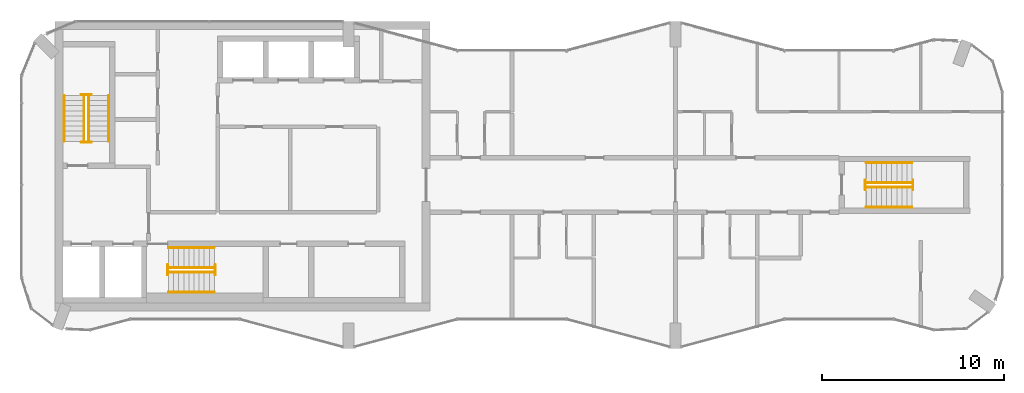
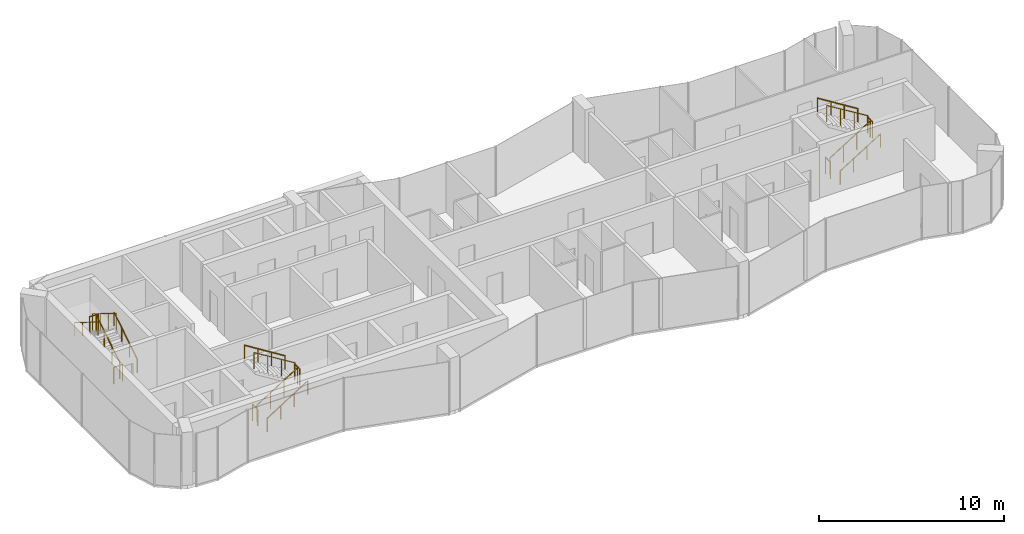
# One storey, part 10 of 10: 18 railings.
"""IFC4 building model written with IfcOpenShell, lengths in metres."""

from ifc_helpers import new_model, si_unit, direction, frame, origin, origin_2d, place, context, subcontext, project, spatial, circle, extrude, material, type_object, element, save


model = new_model("IFC4")

# Units and contexts
model_context = context("Model", 3, precision=1e-05, world=origin(), true_north=direction((0.0, 1.0)))
body_context = subcontext(model_context, "Body", "Model", "MODEL_VIEW")
ifc_project = project(units=[si_unit("LENGTHUNIT", "METRE"), si_unit("AREAUNIT", "SQUARE_METRE"), si_unit("VOLUMEUNIT", "CUBIC_METRE"), si_unit("PLANEANGLEUNIT", "RADIAN"), si_unit("MASSUNIT", "GRAM", prefix="KILO")], contexts=[model_context])

# Site, building, storey
site_placement = place(None, origin())
site = spatial("IfcSite", under=ifc_project, at=site_placement, CompositionType="ELEMENT")
building_placement = place(site_placement, origin())
building = spatial("IfcBuilding", under=site, at=building_placement, Name="Plateau Cross Towers", CompositionType="ELEMENT")
storey_placement = place(building_placement, frame((0.0, 0.0, 263.39990234375)))
storey = spatial("IfcBuildingStorey", under=building, at=storey_placement, Name="L69", CompositionType="ELEMENT", Elevation=263.39990234375)

# Railings
ifc_material_1 = material(Name="Stainless steel and toughened glass", Category="steel")
railing_type_1 = type_object("IfcRailingType", Name="RL-GUARD-1100", PredefinedType="GUARDRAIL", material=ifc_material_1)
railing_1_placement = place(storey_placement, frame((3.699951171875, 11.39990234375, 0.175048828125)))
element("IfcRailing", 1, at=railing_1_placement, inside=storey, type_object=railing_type_1, Name="L69 ST-1 stair guard 1", PredefinedType="GUARDRAIL", context=body_context, shape_type="SweptSolid", body=[
    extrude(circle(Radius=0.02392578125, at=origin_2d()), frame((0.0, 0.0, 1.076171875), z_axis=(0.0, 0.848007534815, 0.529984170421), x_axis=(-1.0, 0.0, 0.0)), (0.0, 0.0, 1.0), 2.9716796875),
    extrude(circle(Radius=0.02099609375, at=origin_2d()), origin(), (0.0, 0.0, 1.0), 1.052001953125),
    extrude(circle(Radius=0.02099609375, at=origin_2d()), frame((0.0, 0.840087890625, 0.52490234375)), (0.0, 0.0, 1.0), 1.052001953125),
    extrude(circle(Radius=0.02099609375, at=origin_2d()), frame((0.0, 1.679931640625, 1.050048828125)), (0.0, 0.0, 1.0), 1.052001953125),
    extrude(circle(Radius=0.02099609375, at=origin_2d()), frame((0.0, 2.52001953125, 1.574951171875)), (0.0, 0.0, 1.0), 1.052001953125),
])
railing_2_placement = place(storey_placement, frame((3.85009765625, 13.969970703125, 1.75)))
element("IfcRailing", 2, at=railing_2_placement, inside=storey, type_object=railing_type_1, Name="L69 ST-1 stair guard 2", PredefinedType="GUARDRAIL", context=body_context, shape_type="SweptSolid", body=[
    extrude(circle(Radius=0.02392578125, at=origin_2d()), frame((0.0, 0.0, 1.076171875), z_axis=(-1.0, 0.0, 0.0), x_axis=(0.0, -1.0, 0.0)), (0.0, 0.0, 1.0), 0.550048828125),
    extrude(circle(Radius=0.02099609375, at=origin_2d()), origin(), (0.0, 0.0, 1.0), 1.052001953125),
    extrude(circle(Radius=0.02099609375, at=origin_2d()), frame((-0.550048828125, 0.0, 0.0)), (0.0, 0.0, 1.0), 1.052001953125),
])
railing_3_placement = place(storey_placement, frame((3.449951171875, 13.919921875, 1.925048828125)))
element("IfcRailing", 3, at=railing_3_placement, inside=storey, type_object=railing_type_1, Name="L69 ST-1 stair guard 3", PredefinedType="GUARDRAIL", context=body_context, shape_type="SweptSolid", body=[
    extrude(circle(Radius=0.02392578125, at=origin_2d()), frame((0.0, 0.0, 1.076171875), z_axis=(0.0, -0.852616386126, 0.522537365276), x_axis=(1.0, 0.0, 0.0)), (0.0, 0.0, 1.0), 3.01416015625),
    extrude(circle(Radius=0.02099609375, at=origin_2d()), origin(), (0.0, 0.0, 1.0), 1.052001953125),
    extrude(circle(Radius=0.02099609375, at=origin_2d()), frame((0.0, -0.856689453125, 0.52490234375)), (0.0, 0.0, 1.0), 1.052001953125),
    extrude(circle(Radius=0.02099609375, at=origin_2d()), frame((0.0, -1.713134765625, 1.050048828125)), (0.0, 0.0, 1.0), 1.052001953125),
    extrude(circle(Radius=0.02099609375, at=origin_2d()), frame((0.0, -2.56982421875, 1.574951171875)), (0.0, 0.0, 1.0), 1.052001953125),
])
railing_4_placement = place(storey_placement, frame((3.85009765625, 11.35009765625, 0.0)))
element("IfcRailing", 4, at=railing_4_placement, inside=storey, type_object=railing_type_1, Name="L69 ST-1 stair guard 4", PredefinedType="GUARDRAIL", context=body_context, shape_type="SweptSolid", body=[
    extrude(circle(Radius=0.02392578125, at=origin_2d()), frame((0.0, 0.0, 1.076171875), z_axis=(-1.0, 0.0, 0.0), x_axis=(0.0, -1.0, 0.0)), (0.0, 0.0, 1.0), 0.550048828125),
    extrude(circle(Radius=0.02099609375, at=origin_2d()), origin(), (0.0, 0.0, 1.0), 1.052001953125),
    extrude(circle(Radius=0.02099609375, at=origin_2d()), frame((-0.550048828125, 0.0, 0.0)), (0.0, 0.0, 1.0), 1.052001953125),
])
railing_5_placement = place(storey_placement, frame((8.10009765625, 4.199951171875, 0.175048828125)))
element("IfcRailing", 5, at=railing_5_placement, inside=storey, type_object=railing_type_1, Name="L69 ST-2 stair guard 1", PredefinedType="GUARDRAIL", context=body_context, shape_type="SweptSolid", body=[
    extrude(circle(Radius=0.02392578125, at=origin_2d()), frame((0.0, 0.0, 1.076171875), z_axis=(0.848007534815, 0.0, 0.529984170421), x_axis=(0.0, 1.0, 0.0)), (0.0, 0.0, 1.0), 2.9716796875),
    extrude(circle(Radius=0.02099609375, at=origin_2d()), origin(), (0.0, 0.0, 1.0), 1.052001953125),
    extrude(circle(Radius=0.02099609375, at=origin_2d()), frame((0.840087890625, 0.0, 0.52490234375)), (0.0, 0.0, 1.0), 1.052001953125),
    extrude(circle(Radius=0.02099609375, at=origin_2d()), frame((1.679931640625, 0.0, 1.050048828125)), (0.0, 0.0, 1.0), 1.052001953125),
    extrude(circle(Radius=0.02099609375, at=origin_2d()), frame((2.52001953125, 0.0, 1.574951171875)), (0.0, 0.0, 1.0), 1.052001953125),
])
railing_6_placement = place(storey_placement, frame((10.669921875, 4.050048828125, 1.75)))
element("IfcRailing", 6, at=railing_6_placement, inside=storey, type_object=railing_type_1, Name="L69 ST-2 stair guard 2", PredefinedType="GUARDRAIL", context=body_context, shape_type="SweptSolid", body=[
    extrude(circle(Radius=0.02392578125, at=origin_2d()), frame((0.0, 0.0, 1.076171875), z_axis=(0.0, 1.0, 0.0), x_axis=(-1.0, 0.0, 0.0)), (0.0, 0.0, 1.0), 0.550048828125),
    extrude(circle(Radius=0.02099609375, at=origin_2d()), origin(), (0.0, 0.0, 1.0), 1.052001953125),
    extrude(circle(Radius=0.02099609375, at=origin_2d()), frame((0.0, 0.550048828125, 0.0)), (0.0, 0.0, 1.0), 1.052001953125),
])
railing_7_placement = place(storey_placement, frame((10.6201171875, 4.449951171875, 1.925048828125)))
element("IfcRailing", 7, at=railing_7_placement, inside=storey, type_object=railing_type_1, Name="L69 ST-2 stair guard 3", PredefinedType="GUARDRAIL", context=body_context, shape_type="SweptSolid", body=[
    extrude(circle(Radius=0.02392578125, at=origin_2d()), frame((0.0, 0.0, 1.076171875), z_axis=(-0.852638500773, 0.0, 0.522501279423), x_axis=(0.0, -1.0, 0.0)), (0.0, 0.0, 1.0), 3.01416015625),
    extrude(circle(Radius=0.02099609375, at=origin_2d()), origin(), (0.0, 0.0, 1.0), 1.052001953125),
    extrude(circle(Radius=0.02099609375, at=origin_2d()), frame((-0.856689453125, 0.0, 0.52490234375)), (0.0, 0.0, 1.0), 1.052001953125),
    extrude(circle(Radius=0.02099609375, at=origin_2d()), frame((-1.71337890625, 0.0, 1.050048828125)), (0.0, 0.0, 1.0), 1.052001953125),
    extrude(circle(Radius=0.02099609375, at=origin_2d()), frame((-2.570068359375, 0.0, 1.574951171875)), (0.0, 0.0, 1.0), 1.052001953125),
])
railing_8_placement = place(storey_placement, frame((8.050048828125, 4.050048828125, 0.0)))
element("IfcRailing", 8, at=railing_8_placement, inside=storey, type_object=railing_type_1, Name="L69 ST-2 stair guard 4", PredefinedType="GUARDRAIL", context=body_context, shape_type="SweptSolid", body=[
    extrude(circle(Radius=0.02392578125, at=origin_2d()), frame((0.0, 0.0, 1.076171875), z_axis=(0.0, 1.0, 0.0), x_axis=(-1.0, 0.0, 0.0)), (0.0, 0.0, 1.0), 0.550048828125),
    extrude(circle(Radius=0.02099609375, at=origin_2d()), origin(), (0.0, 0.0, 1.0), 1.052001953125),
    extrude(circle(Radius=0.02099609375, at=origin_2d()), frame((0.0, 0.550048828125, 0.0)), (0.0, 0.0, 1.0), 1.052001953125),
])
railing_9_placement = place(storey_placement, frame((46.5, 8.875, 0.175048828125)))
element("IfcRailing", 9, at=railing_9_placement, inside=storey, type_object=railing_type_1, Name="L69 ES-E stair guard 1", PredefinedType="GUARDRAIL", context=body_context, shape_type="SweptSolid", body=[
    extrude(circle(Radius=0.02392578125, at=origin_2d()), frame((0.0, 0.0, 1.076171875), z_axis=(0.848007534815, 0.0, 0.529984170421), x_axis=(0.0, 1.0, 0.0)), (0.0, 0.0, 1.0), 2.9716796875),
    extrude(circle(Radius=0.02099609375, at=origin_2d()), origin(), (0.0, 0.0, 1.0), 1.052001953125),
    extrude(circle(Radius=0.02099609375, at=origin_2d()), frame((0.840087890625, 0.0, 0.52490234375)), (0.0, 0.0, 1.0), 1.052001953125),
    extrude(circle(Radius=0.02099609375, at=origin_2d()), frame((1.679931640625, 0.0, 1.050048828125)), (0.0, 0.0, 1.0), 1.052001953125),
    extrude(circle(Radius=0.02099609375, at=origin_2d()), frame((2.52001953125, 0.0, 1.574951171875)), (0.0, 0.0, 1.0), 1.052001953125),
])
railing_10_placement = place(storey_placement, frame((49.070068359375, 8.72509765625, 1.75)))
element("IfcRailing", 10, at=railing_10_placement, inside=storey, type_object=railing_type_1, Name="L69 ES-E stair guard 2", PredefinedType="GUARDRAIL", context=body_context, shape_type="SweptSolid", body=[
    extrude(circle(Radius=0.02392578125, at=origin_2d()), frame((0.0, 0.0, 1.076171875), z_axis=(0.0, 1.0, 0.0), x_axis=(-1.0, 0.0, 0.0)), (0.0, 0.0, 1.0), 0.5498046875),
    extrude(circle(Radius=0.02099609375, at=origin_2d()), origin(), (0.0, 0.0, 1.0), 1.052001953125),
    extrude(circle(Radius=0.02099609375, at=origin_2d()), frame((0.0, 0.5498046875, 0.0)), (0.0, 0.0, 1.0), 1.052001953125),
])
railing_11_placement = place(storey_placement, frame((49.02001953125, 9.125, 1.925048828125)))
element("IfcRailing", 11, at=railing_11_placement, inside=storey, type_object=railing_type_1, Name="L69 ES-E stair guard 3", PredefinedType="GUARDRAIL", context=body_context, shape_type="SweptSolid", body=[
    extrude(circle(Radius=0.02392578125, at=origin_2d()), frame((0.0, 0.0, 1.076171875), z_axis=(-0.852638500773, 0.0, 0.522501279423), x_axis=(0.0, -1.0, 0.0)), (0.0, 0.0, 1.0), 3.01416015625),
    extrude(circle(Radius=0.02099609375, at=origin_2d()), origin(), (0.0, 0.0, 1.0), 1.052001953125),
    extrude(circle(Radius=0.02099609375, at=origin_2d()), frame((-0.856689453125, 0.0, 0.52490234375)), (0.0, 0.0, 1.0), 1.052001953125),
    extrude(circle(Radius=0.02099609375, at=origin_2d()), frame((-1.71337890625, 0.0, 1.050048828125)), (0.0, 0.0, 1.0), 1.052001953125),
    extrude(circle(Radius=0.02099609375, at=origin_2d()), frame((-2.570068359375, 0.0, 1.574951171875)), (0.0, 0.0, 1.0), 1.052001953125),
])
railing_12_placement = place(storey_placement, frame((46.449951171875, 8.72509765625, 0.0)))
element("IfcRailing", 12, at=railing_12_placement, inside=storey, type_object=railing_type_1, Name="L69 ES-E stair guard 4", PredefinedType="GUARDRAIL", context=body_context, shape_type="SweptSolid", body=[
    extrude(circle(Radius=0.02392578125, at=origin_2d()), frame((0.0, 0.0, 1.076171875), z_axis=(0.0, 1.0, 0.0), x_axis=(-1.0, 0.0, 0.0)), (0.0, 0.0, 1.0), 0.5498046875),
    extrude(circle(Radius=0.02099609375, at=origin_2d()), origin(), (0.0, 0.0, 1.0), 1.052001953125),
    extrude(circle(Radius=0.02099609375, at=origin_2d()), frame((0.0, 0.5498046875, 0.0)), (0.0, 0.0, 1.0), 1.052001953125),
])
ifc_material_2 = material(Name="Black anodised aluminium", Category="aluminium")
railing_type_2 = type_object("IfcRailingType", Name="RL-HANDRAIL-900", PredefinedType="HANDRAIL", material=ifc_material_2)
railing_13_placement = place(storey_placement, frame((4.800048828125, 11.39990234375, 0.175048828125)))
element("IfcRailing", 13, at=railing_13_placement, inside=storey, type_object=railing_type_2, Name="L69 ST-1 stair handrail 1", PredefinedType="HANDRAIL", context=body_context, shape_type="SweptSolid", body=[
    extrude(circle(Radius=0.02392578125, at=origin_2d()), frame((0.0, 0.0, 0.8759765625), z_axis=(0.0, 0.848007534815, 0.529984170421), x_axis=(-1.0, 0.0, 0.0)), (0.0, 0.0, 1.0), 2.9716796875),
    extrude(circle(Radius=0.02099609375, at=origin_2d()), origin(), (0.0, 0.0, 1.0), 0.851806640625),
    extrude(circle(Radius=0.02099609375, at=origin_2d()), frame((0.0, 0.840087890625, 0.52490234375)), (0.0, 0.0, 1.0), 0.851806640625),
    extrude(circle(Radius=0.02099609375, at=origin_2d()), frame((0.0, 1.679931640625, 1.050048828125)), (0.0, 0.0, 1.0), 0.851806640625),
    extrude(circle(Radius=0.02099609375, at=origin_2d()), frame((0.0, 2.52001953125, 1.574951171875)), (0.0, 0.0, 1.0), 0.851806640625),
])
railing_14_placement = place(storey_placement, frame((2.35009765625, 13.919921875, 1.925048828125)))
element("IfcRailing", 14, at=railing_14_placement, inside=storey, type_object=railing_type_2, Name="L69 ST-1 stair handrail 2", PredefinedType="HANDRAIL", context=body_context, shape_type="SweptSolid", body=[
    extrude(circle(Radius=0.02392578125, at=origin_2d()), frame((0.0, 0.0, 0.8759765625), z_axis=(0.0, -0.848007534815, 0.529984170421), x_axis=(1.0, 0.0, 0.0)), (0.0, 0.0, 1.0), 2.9716796875),
    extrude(circle(Radius=0.02099609375, at=origin_2d()), origin(), (0.0, 0.0, 1.0), 0.851806640625),
    extrude(circle(Radius=0.02099609375, at=origin_2d()), frame((0.0, -0.840087890625, 0.52490234375)), (0.0, 0.0, 1.0), 0.851806640625),
    extrude(circle(Radius=0.02099609375, at=origin_2d()), frame((0.0, -1.679931640625, 1.050048828125)), (0.0, 0.0, 1.0), 0.851806640625),
    extrude(circle(Radius=0.02099609375, at=origin_2d()), frame((0.0, -2.52001953125, 1.574951171875)), (0.0, 0.0, 1.0), 0.851806640625),
])
railing_15_placement = place(storey_placement, frame((8.10009765625, 3.10009765625, 0.175048828125)))
element("IfcRailing", 15, at=railing_15_placement, inside=storey, type_object=railing_type_2, Name="L69 ST-2 stair handrail 1", PredefinedType="HANDRAIL", context=body_context, shape_type="SweptSolid", body=[
    extrude(circle(Radius=0.02392578125, at=origin_2d()), frame((0.0, 0.0, 0.8759765625), z_axis=(0.848007534815, 0.0, 0.529984170421), x_axis=(0.0, 1.0, 0.0)), (0.0, 0.0, 1.0), 2.9716796875),
    extrude(circle(Radius=0.02099609375, at=origin_2d()), origin(), (0.0, 0.0, 1.0), 0.851806640625),
    extrude(circle(Radius=0.02099609375, at=origin_2d()), frame((0.840087890625, 0.0, 0.52490234375)), (0.0, 0.0, 1.0), 0.851806640625),
    extrude(circle(Radius=0.02099609375, at=origin_2d()), frame((1.679931640625, 0.0, 1.050048828125)), (0.0, 0.0, 1.0), 0.851806640625),
    extrude(circle(Radius=0.02099609375, at=origin_2d()), frame((2.52001953125, 0.0, 1.574951171875)), (0.0, 0.0, 1.0), 0.851806640625),
])
railing_16_placement = place(storey_placement, frame((10.6201171875, 5.550048828125, 1.925048828125)))
element("IfcRailing", 16, at=railing_16_placement, inside=storey, type_object=railing_type_2, Name="L69 ST-2 stair handrail 2", PredefinedType="HANDRAIL", context=body_context, shape_type="SweptSolid", body=[
    extrude(circle(Radius=0.02392578125, at=origin_2d()), frame((0.0, 0.0, 0.8759765625), z_axis=(-0.848007534815, 0.0, 0.529984170421), x_axis=(0.0, -1.0, 0.0)), (0.0, 0.0, 1.0), 2.9716796875),
    extrude(circle(Radius=0.02099609375, at=origin_2d()), origin(), (0.0, 0.0, 1.0), 0.851806640625),
    extrude(circle(Radius=0.02099609375, at=origin_2d()), frame((-0.840087890625, 0.0, 0.52490234375)), (0.0, 0.0, 1.0), 0.851806640625),
    extrude(circle(Radius=0.02099609375, at=origin_2d()), frame((-1.679931640625, 0.0, 1.050048828125)), (0.0, 0.0, 1.0), 0.851806640625),
    extrude(circle(Radius=0.02099609375, at=origin_2d()), frame((-2.52001953125, 0.0, 1.574951171875)), (0.0, 0.0, 1.0), 0.851806640625),
])
railing_17_placement = place(storey_placement, frame((46.5, 7.77490234375, 0.175048828125)))
element("IfcRailing", 17, at=railing_17_placement, inside=storey, type_object=railing_type_2, Name="L69 ES-E stair handrail 1", PredefinedType="HANDRAIL", context=body_context, shape_type="SweptSolid", body=[
    extrude(circle(Radius=0.02392578125, at=origin_2d()), frame((0.0, 0.0, 0.8759765625), z_axis=(0.848007534815, 0.0, 0.529984170421), x_axis=(0.0, 1.0, 0.0)), (0.0, 0.0, 1.0), 2.9716796875),
    extrude(circle(Radius=0.02099609375, at=origin_2d()), origin(), (0.0, 0.0, 1.0), 0.851806640625),
    extrude(circle(Radius=0.02099609375, at=origin_2d()), frame((0.840087890625, 0.0, 0.52490234375)), (0.0, 0.0, 1.0), 0.851806640625),
    extrude(circle(Radius=0.02099609375, at=origin_2d()), frame((1.679931640625, 0.0, 1.050048828125)), (0.0, 0.0, 1.0), 0.851806640625),
    extrude(circle(Radius=0.02099609375, at=origin_2d()), frame((2.52001953125, 0.0, 1.574951171875)), (0.0, 0.0, 1.0), 0.851806640625),
])
railing_18_placement = place(storey_placement, frame((49.02001953125, 10.22509765625, 1.925048828125)))
element("IfcRailing", 18, at=railing_18_placement, inside=storey, type_object=railing_type_2, Name="L69 ES-E stair handrail 2", PredefinedType="HANDRAIL", context=body_context, shape_type="SweptSolid", body=[
    extrude(circle(Radius=0.02392578125, at=origin_2d()), frame((0.0, 0.0, 0.8759765625), z_axis=(-0.848007534815, 0.0, 0.529984170421), x_axis=(0.0, -1.0, 0.0)), (0.0, 0.0, 1.0), 2.9716796875),
    extrude(circle(Radius=0.02099609375, at=origin_2d()), origin(), (0.0, 0.0, 1.0), 0.851806640625),
    extrude(circle(Radius=0.02099609375, at=origin_2d()), frame((-0.840087890625, 0.0, 0.52490234375)), (0.0, 0.0, 1.0), 0.851806640625),
    extrude(circle(Radius=0.02099609375, at=origin_2d()), frame((-1.679931640625, 0.0, 1.050048828125)), (0.0, 0.0, 1.0), 0.851806640625),
    extrude(circle(Radius=0.02099609375, at=origin_2d()), frame((-2.52001953125, 0.0, 1.574951171875)), (0.0, 0.0, 1.0), 0.851806640625),
])

save(model, "model.ifc")
